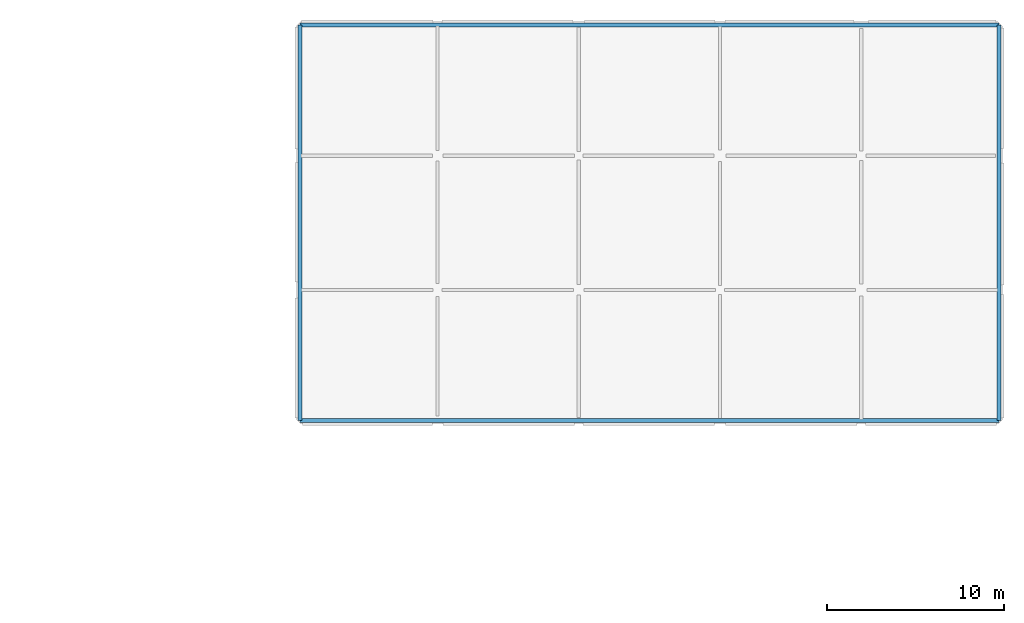
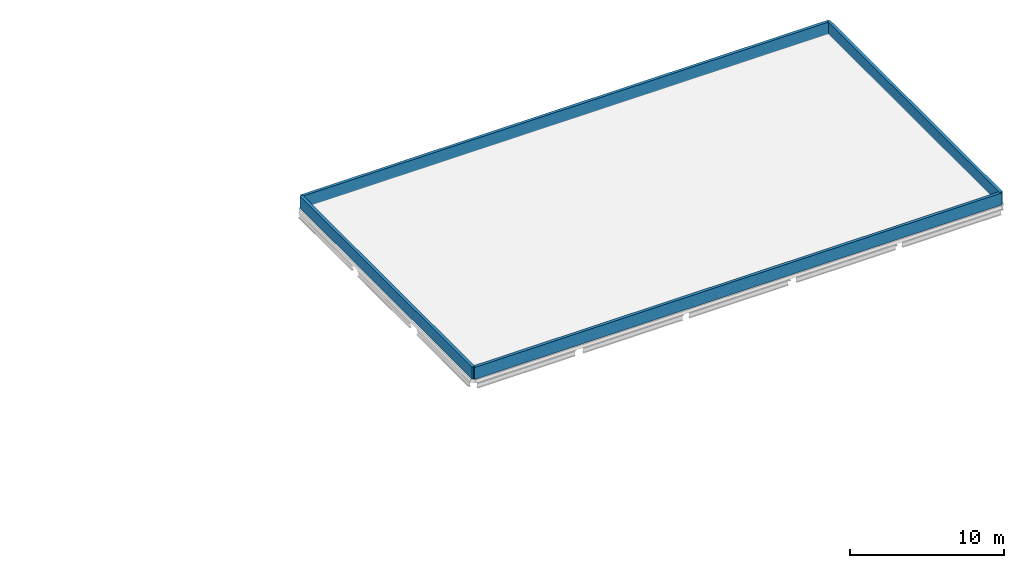
# One storey, part 8 of 9: 4 walls.
"""IFC4 building model written with IfcOpenShell, lengths in metres."""

import ifcopenshell
import ifcopenshell.guid

model = None  # the IFC model being written
_history = None  # IfcOwnerHistory: only IFC2X3 demands one
_inside = {}  # id of a spatial element -> (the spatial element, [elements in it])
_under = {}  # id of a project, library or spatial element -> (it, [spatial elements below it])
_declared = {}  # id of a project -> (the project, [libraries it declares])
_typed = {}  # id of a type object -> (the type object, [elements of that type])
_made_of = {}  # id of a material, layer set ... -> (it, [elements and type objects made of it])


def new_model(schema):
    """Start an empty IFC model of exactly this schema.

    Asked for "IFC4X3", IfcOpenShell would pick the latest addendum, in which some entities
    have other attributes; the version numbers below select the first issue.
    IFC2X3 requires an IfcOwnerHistory on every rooted entity: one is made here for all.
    """
    global model, _history
    if schema == "IFC4X3":
        model = ifcopenshell.file(schema_version=(4, 3, 0, 0))
    else:
        model = ifcopenshell.file(schema=schema)
    _inside.clear()
    _under.clear()
    _declared.clear()
    _typed.clear()
    _made_of.clear()
    _history = None
    if model.schema == "IFC2X3":
        org = make("IfcOrganization", Name="unknown")
        user = make(
            "IfcPersonAndOrganization",
            ThePerson=make("IfcPerson", FamilyName="unknown"),
            TheOrganization=org,
        )
        app = make(
            "IfcApplication",
            ApplicationDeveloper=org,
            Version="unknown",
            ApplicationFullName="unknown",
            ApplicationIdentifier="unknown",
        )
        _history = make(
            "IfcOwnerHistory",
            OwningUser=user,
            OwningApplication=app,
            ChangeAction="ADDED",
            CreationDate=0,
        )
    return model


def make(cls, **values):
    """One entity of the class cls with the attributes given. An attribute that is None is left unset."""
    return model.create_entity(
        cls, **{name: value for name, value in values.items() if value is not None}
    )


def rooted(cls, **values):
    """An entity with a GlobalId (a new one), such as an element, a storey or a relation."""
    return make(cls, GlobalId=ifcopenshell.guid.new(), OwnerHistory=_history, **values)


def si_unit(unit_type, name, prefix=None):
    """IfcSIUnit, for example si_unit("LENGTHUNIT", "METRE", prefix="MILLI")."""
    return make("IfcSIUnit", UnitType=unit_type, Prefix=prefix, Name=name)


def assignment(units):
    """IfcUnitAssignment: the units of a project."""
    return None if units is None else make("IfcUnitAssignment", Units=units)


def point(xyz):
    """IfcCartesianPoint."""
    return None if xyz is None else make("IfcCartesianPoint", Coordinates=xyz)


def direction(xyz):
    """IfcDirection."""
    return None if xyz is None else make("IfcDirection", DirectionRatios=xyz)


def frame(location, z_axis=None, x_axis=None):
    """IfcAxis2Placement3D, a coordinate frame: its origin and axes. An axis left out is left unset."""
    return make(
        "IfcAxis2Placement3D",
        Location=point(location),
        Axis=direction(z_axis),
        RefDirection=direction(x_axis),
    )


def frame_2d(location, x_axis=None):
    """IfcAxis2Placement2D, a coordinate frame in the plane: its origin and x axis."""
    return make(
        "IfcAxis2Placement2D", Location=point(location), RefDirection=direction(x_axis)
    )


def origin():
    """The frame at (0, 0, 0) with its axes left unset."""
    return frame((0.0, 0.0, 0.0))


def place(relative_to, where):
    """IfcLocalPlacement: puts the frame where relative to a parent placement (None: the world)."""
    return make(
        "IfcLocalPlacement", PlacementRelTo=relative_to, RelativePlacement=where
    )


def context(
    kind, dimensions, precision=None, world=None, true_north=None, identifier=None
):
    """IfcGeometricRepresentationContext, for example the 3D "Model" context."""
    return make(
        "IfcGeometricRepresentationContext",
        ContextIdentifier=identifier,
        ContextType=kind,
        CoordinateSpaceDimension=dimensions,
        Precision=precision,
        WorldCoordinateSystem=world,
        TrueNorth=true_north,
    )


def subcontext(parent, identifier, kind, view, scale=None):
    """IfcGeometricRepresentationSubContext, for example "Body" below "Model"."""
    return make(
        "IfcGeometricRepresentationSubContext",
        ContextIdentifier=identifier,
        ContextType=kind,
        ParentContext=parent,
        TargetScale=scale,
        TargetView=view,
    )


def project(units=None, contexts=None):
    """IfcProject with its units and contexts."""
    return rooted(
        "IfcProject",
        Name="project",
        RepresentationContexts=contexts,
        UnitsInContext=assignment(units),
    )


def spatial(cls, under=None, at=None, **own):
    """A site, building, storey or space (cls), placed at a placement, below another one or the project."""
    s = rooted(cls, ObjectPlacement=at, **own)
    if under is not None:
        _under.setdefault(under.id(), (under, []))[1].append(s)
    return s


def profile(cls, at=None, kind="AREA", **sizes):
    """A parametric profile (cls). Its sizes go by their IFC names, for example OverallWidth=200.0."""
    return make(cls, ProfileType=kind, Position=at, **sizes)


def rectangle(**sizes):
    """IfcRectangleProfileDef."""
    return profile("IfcRectangleProfileDef", **sizes)


def extrude(swept, where, along, depth):
    """IfcExtrudedAreaSolid: the profile swept, set in the frame where, extruded along a direction by depth."""
    return make(
        "IfcExtrudedAreaSolid",
        SweptArea=swept,
        Position=where,
        ExtrudedDirection=direction(along),
        Depth=depth,
    )


def shape(context_of_items, identifier, shape_type, items):
    """IfcShapeRepresentation: the items that make up one representation, for example the "Body"."""
    return make(
        "IfcShapeRepresentation",
        ContextOfItems=context_of_items,
        RepresentationIdentifier=identifier,
        RepresentationType=shape_type,
        Items=items,
    )


def material(Name=None, Category=None):
    """IfcMaterial."""
    return make("IfcMaterial", Name=Name, Category=Category)


def layer(
    of_material, thickness, ventilated=None, Name=None, Category=None, Priority=None
):
    """IfcMaterialLayer: one layer of a wall or slab, of a material (None: an air gap)."""
    return make(
        "IfcMaterialLayer",
        Material=of_material,
        LayerThickness=thickness,
        IsVentilated=ventilated,
        Name=Name,
        Category=Category,
        Priority=Priority,
    )


def layer_set(layers, Name=None):
    """IfcMaterialLayerSet."""
    return make("IfcMaterialLayerSet", MaterialLayers=layers, LayerSetName=Name)


def made_of(thing, what):
    """Note that an element or type object is made of a material, layer set ...; save() writes the relation."""
    if what is not None:
        _made_of.setdefault(what.id(), (what, []))[1].append(thing)
    return thing


def type_object(cls, material=None, **own):
    """A type object (cls), such as IfcWallType, which elements share."""
    return made_of(rooted(cls, **own), material)


def element(
    cls,
    number,
    at=None,
    inside=None,
    cuts=None,
    type_object=None,
    material=None,
    context=None,
    identifier="Body",
    shape_type=None,
    held_by="IfcProductDefinitionShape",
    body=None,
    shapes=None,
    **own,
):
    """One element of the class cls, such as IfcWall. Its Tag is "e" and its number.

    at: its placement. inside: the storey or other place that contains it. cuts: it is an
    opening in that element (IfcRelVoidsElement). A single representation is given by context,
    identifier, shape_type and body (its items); several are given by shapes. held_by: the class
    of the entity that holds the representations. save() writes the other relations.
    """
    e = rooted(cls, Tag="e%d" % number, ObjectPlacement=at, **own)
    if body is not None:
        shapes = [shape(context, identifier, shape_type, body)]
    if shapes is not None:
        e.Representation = make(held_by, Representations=shapes)
    if inside is not None:
        _inside.setdefault(inside.id(), (inside, []))[1].append(e)
    if cuts is not None:
        rooted(
            "IfcRelVoidsElement", RelatingBuildingElement=cuts, RelatedOpeningElement=e
        )
    if type_object is not None:
        _typed.setdefault(type_object.id(), (type_object, []))[1].append(e)
    return made_of(e, material)


def aggregate(whole, parts):
    """IfcRelAggregates: a whole, such as a stair, and the parts it consists of."""
    return rooted("IfcRelAggregates", RelatingObject=whole, RelatedObjects=parts)


def save(model, path):
    """Write the relations noted so far, then the file.

    IfcRelAggregates (storeys below a building ...), IfcRelContainedInSpatialStructure (elements
    in a storey), IfcRelDefinesByType, IfcRelAssociatesMaterial and IfcRelDeclares: one each for
    every whole, place, type object, material and project.
    """
    for whole, parts in _under.values():
        aggregate(whole, parts)
    for where, things in _inside.values():
        rooted(
            "IfcRelContainedInSpatialStructure",
            RelatedElements=things,
            RelatingStructure=where,
        )
    for kind, things in _typed.values():
        rooted("IfcRelDefinesByType", RelatedObjects=things, RelatingType=kind)
    for what, things in _made_of.values():
        rooted("IfcRelAssociatesMaterial", RelatedObjects=things, RelatingMaterial=what)
    for by, libraries in _declared.values():
        rooted("IfcRelDeclares", RelatingContext=by, RelatedDefinitions=libraries)
    model.write(path)


model = new_model("IFC4")

# Units and contexts
model_context = context("Model", 3, precision=1e-05, world=origin(), true_north=direction((0.0, 1.0)))
body_context = subcontext(model_context, "Body", "Model", "MODEL_VIEW")
ifc_project = project(units=[si_unit("LENGTHUNIT", "METRE"), si_unit("AREAUNIT", "SQUARE_METRE"), si_unit("VOLUMEUNIT", "CUBIC_METRE"), si_unit("PLANEANGLEUNIT", "RADIAN"), si_unit("MASSUNIT", "GRAM", prefix="KILO")], contexts=[model_context])

# Site, building, storey
site_placement = place(None, origin())
site = spatial("IfcSite", under=ifc_project, at=site_placement, CompositionType="ELEMENT")
building_placement = place(site_placement, origin())
building = spatial("IfcBuilding", under=site, at=building_placement, Name="Khelvaren Railside Concert Hall", CompositionType="ELEMENT")
storey_placement = place(building_placement, frame((0.0, 0.0, 29.39990234375)))
storey = spatial("IfcBuildingStorey", under=building, at=storey_placement, Name="ROOF", CompositionType="ELEMENT", Elevation=29.39990234375)

# Walls
ifc_material = material(Name="Precast architectural concrete C40/50", Category="concrete")
ifc_layer = layer(ifc_material, 0.219970703125)
ifc_layer_set = layer_set([ifc_layer], Name="Precast architectural concrete C40/50")
wall_type = type_object("IfcWallType", Name="PRP69", PredefinedType="PARAPET", material=ifc_layer_set)
for number, where, z_axis, x_axis, name in (
    (1, (144.199951171875, 91.39990234375, 0.0), (0.0, 0.0, 1.0), (1.0, 0.0, 0.0), "Roof Parapet Wall V5-TOP-ROOF-S"),
    (2, (183.800048828125, 113.800048828125, 0.0), (0.0, 0.0, 1.0), (-1.0, 0.0, 0.0), "Roof Parapet Wall V5-TOP-ROOF-N"),
):
    element("IfcWall", number, at=place(storey_placement, frame(where, z_axis=z_axis, x_axis=x_axis)), inside=storey, type_object=wall_type, Name=name, PredefinedType="PARAPET", context=body_context, shape_type="SweptSolid", body=[
        extrude(rectangle(XDim=39.60009765625, YDim=0.219970703125, at=frame_2d((19.800048828125, 0.0))), origin(), (0.0, 0.0, 1.0), 0.9501953125),
    ])
for number, where, z_axis, x_axis, name in (
    (3, (144.199951171875, 113.800048828125, 0.0), (0.0, 0.0, 1.0), (0.0, -1.0, 0.0), "Roof Parapet Wall V5-TOP-ROOF-W"),
    (4, (183.800048828125, 91.39990234375, 0.0), (0.0, 0.0, 1.0), (0.0, 1.0, 0.0), "Roof Parapet Wall V5-TOP-ROOF-E"),
):
    element("IfcWall", number, at=place(storey_placement, frame(where, z_axis=z_axis, x_axis=x_axis)), inside=storey, type_object=wall_type, Name=name, PredefinedType="PARAPET", context=body_context, shape_type="SweptSolid", body=[
        extrude(rectangle(XDim=22.400146484375, YDim=0.219970703125, at=frame_2d((11.2001953125, 0.0))), origin(), (0.0, 0.0, 1.0), 0.9501953125),
    ])

save(model, "model.ifc")
